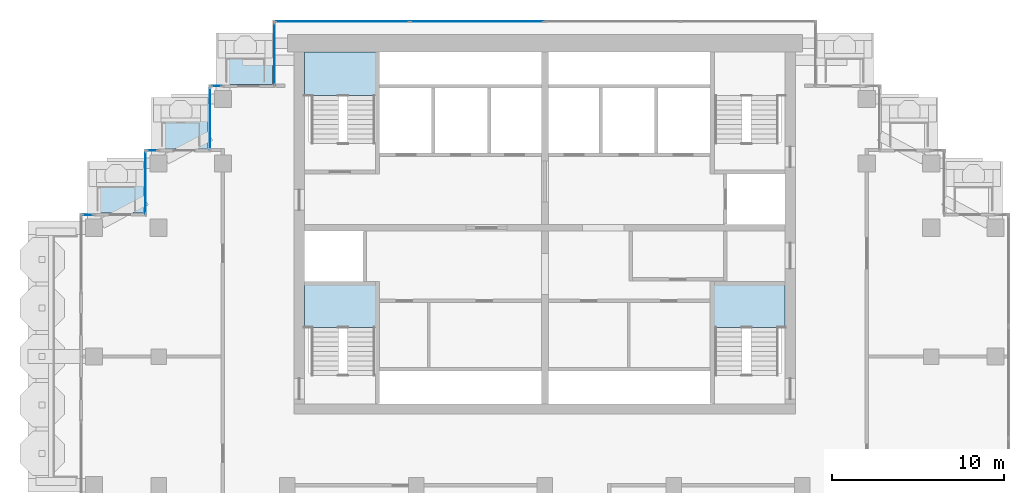
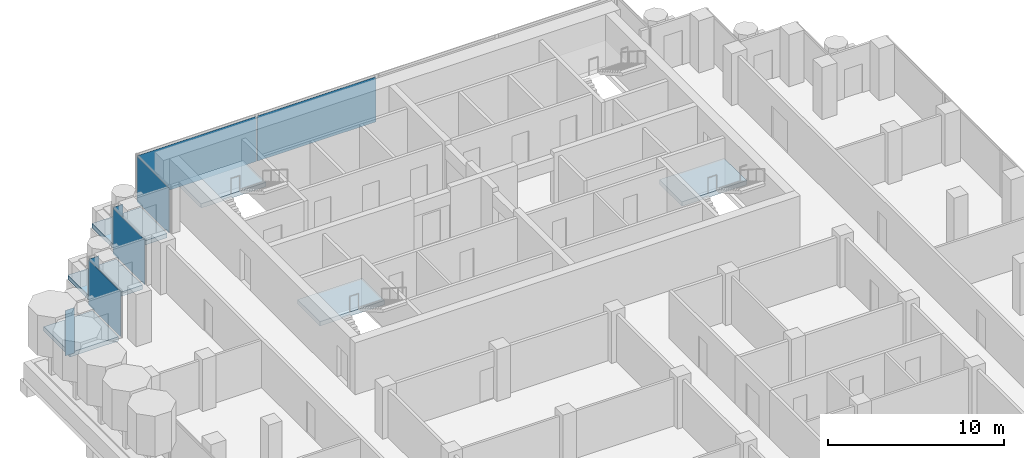
# One storey, part 9 of 18: 8 plates, 6 slabs, 10 elements without a shape of their own.
"""IFC4 building model written with IfcOpenShell, lengths in metres."""

from ifc_helpers import new_model, si_unit, direction, frame, origin, origin_2d, place, context, subcontext, project, spatial, polyline, rectangle, outline, extrude, material, layer, layer_set, type_object, element, aggregate, save


model = new_model("IFC4")

# Units and contexts
model_context = context("Model", 3, precision=1e-05, world=origin(), true_north=direction((0.0, 1.0)))
body_context = subcontext(model_context, "Body", "Model", "MODEL_VIEW")
ifc_project = project(units=[si_unit("LENGTHUNIT", "METRE"), si_unit("AREAUNIT", "SQUARE_METRE"), si_unit("VOLUMEUNIT", "CUBIC_METRE"), si_unit("PLANEANGLEUNIT", "RADIAN"), si_unit("MASSUNIT", "GRAM", prefix="KILO")], contexts=[model_context])

# Site, building, storey
site_placement = place(None, origin())
site = spatial("IfcSite", under=ifc_project, at=site_placement, CompositionType="ELEMENT")
building_placement = place(site_placement, origin())
building = spatial("IfcBuilding", under=site, at=building_placement, Name="Pilkhan Gate Tower", CompositionType="ELEMENT")
storey_placement = place(building_placement, frame((0.0, 0.0, 221.10009765625)))
storey = spatial("IfcBuildingStorey", under=building, at=storey_placement, Name="L57", CompositionType="ELEMENT", Elevation=221.10009765625)

# Slabs
ifc_material_1 = material(Name="Concrete C60/75", Category="concrete")
ifc_layer_1 = layer(ifc_material_1, 0.300048828125)
ifc_layer_set_1 = layer_set([ifc_layer_1], Name="Balcony tray slab TR300")
slab_type_1 = type_object("IfcSlabType", Name="Balcony tray slab TR300", PredefinedType="FLOOR", material=ifc_layer_set_1)
slab_1_placement = place(storey_placement, frame((0.0, 0.0, -0.300048828125)))
element("IfcSlab", 1, at=slab_1_placement, inside=storey, type_object=slab_type_1, Name="Balcony tray L57 N", PredefinedType="FLOOR", context=body_context, shape_type="SweptSolid", body=[
    extrude(outline(polyline([(59.14990234375, 90.85009765625), (59.14990234375, 93.85009765625), (55.949951171875, 93.85009765625), (55.949951171875, 90.85009765625), (59.14990234375, 90.85009765625)])), origin(), (0.0, 0.0, 1.0), 0.300048828125),
])
slab_2_placement = place(storey_placement, frame((0.0, 0.0, -0.300048828125)))
element("IfcSlab", 2, at=slab_2_placement, inside=storey, type_object=slab_type_1, Name="Balcony tray L57 N", PredefinedType="FLOOR", context=body_context, shape_type="SweptSolid", body=[
    extrude(outline(polyline([(55.3798828125, 87.1201171875), (55.3798828125, 90.10009765625), (52.199951171875, 90.10009765625), (52.199951171875, 87.1201171875), (55.3798828125, 87.1201171875)])), origin(), (0.0, 0.0, 1.0), 0.300048828125),
])
slab_3_placement = place(storey_placement, frame((0.0, 0.0, -0.300048828125)))
element("IfcSlab", 3, at=slab_3_placement, inside=storey, type_object=slab_type_1, Name="Balcony tray L57 N", PredefinedType="FLOOR", context=body_context, shape_type="SweptSolid", body=[
    extrude(outline(polyline([(51.6298828125, 83.3701171875), (51.6298828125, 86.35009765625), (48.449951171875, 86.35009765625), (48.449951171875, 83.3701171875), (51.6298828125, 83.3701171875)])), origin(), (0.0, 0.0, 1.0), 0.300048828125),
])

# Curtain wall, plates
ifc_material_2 = material(Name="Pale anodised aluminium, clear low-iron double glazing", Category="aluminium")
curtain_wall_type = type_object("IfcCurtainWallType", Name="Office unitised curtain wall CW-O2", PredefinedType="USERDEFINED", material=ifc_material_2)
curtain_wall_1_placement = place(storey_placement, origin())
curtain_wall_1 = element("IfcCurtainWall", 4, at=curtain_wall_1_placement, inside=storey, type_object=curtain_wall_type, Name="Office unitised curtain wall CW-O2 L57 N", ObjectType="UNITISED CURTAIN WALL", PredefinedType="USERDEFINED")
ifc_material_3 = material(Name="Clear low-iron double glazing", Category="glass")
ifc_layer_2 = layer(ifc_material_3, 0.031982421875)
ifc_layer_set_2 = layer_set([ifc_layer_2], Name="Glass panel CW-O2 32")
plate_type = type_object("IfcPlateType", Name="Glass panel CW-O2 32", PredefinedType="CURTAIN_PANEL", material=ifc_layer_set_2)
plate_1_placement = place(storey_placement, frame((63.203857421875, 94.5, 0.0), z_axis=(0.0, 0.0, 1.0), x_axis=(1.0, 0.0, 0.0)))
plate_1 = element("IfcPlate", 5, at=plate_1_placement, type_object=plate_type, Name="CW-O2 panel 1", PredefinedType="CURTAIN_PANEL", context=body_context, shape_type="SweptSolid", body=[
    extrude(rectangle(XDim=7.777587890625, YDim=0.031982421875, at=origin_2d()), origin(), (0.0, 0.0, 1.0), 3.135009765625),
])
plate_2_placement = place(storey_placement, frame((71.046142578125, 94.5, 0.0), z_axis=(0.0, 0.0, 1.0), x_axis=(1.0, 0.0, 0.0)))
plate_2 = element("IfcPlate", 6, at=plate_2_placement, type_object=plate_type, Name="CW-O2 panel 2", PredefinedType="CURTAIN_PANEL", context=body_context, shape_type="SweptSolid", body=[
    extrude(rectangle(XDim=7.777587890625, YDim=0.031982421875, at=origin_2d()), origin(), (0.0, 0.0, 1.0), 3.135009765625),
])
aggregate(curtain_wall_1, [plate_1, plate_2])

# Curtain wall, plate
curtain_wall_2_placement = place(storey_placement, origin())
curtain_wall_2 = element("IfcCurtainWall", 7, at=curtain_wall_2_placement, inside=storey, type_object=curtain_wall_type, Name="Office unitised curtain wall CW-O2 L57 W", ObjectType="UNITISED CURTAIN WALL", PredefinedType="USERDEFINED")
plate_3_placement = place(storey_placement, frame((59.25, 92.625, 0.0), z_axis=(0.0, 0.0, 1.0), x_axis=(0.0, 1.0, 0.0)))
plate_3 = element("IfcPlate", 8, at=plate_3_placement, type_object=plate_type, Name="CW-O2 panel 1", PredefinedType="CURTAIN_PANEL", context=body_context, shape_type="SweptSolid", body=[
    extrude(rectangle(XDim=3.6201171875, YDim=0.031982421875, at=origin_2d()), origin(), (0.0, 0.0, 1.0), 3.135009765625),
])
aggregate(curtain_wall_2, [plate_3])

curtain_wall_3_placement = place(storey_placement, origin())
curtain_wall_3 = element("IfcCurtainWall", 9, at=curtain_wall_3_placement, inside=storey, type_object=curtain_wall_type, Name="Office unitised curtain wall CW-O2 L57 N", ObjectType="UNITISED CURTAIN WALL", PredefinedType="USERDEFINED")
plate_4_placement = place(storey_placement, frame((55.875, 90.75, 0.0), z_axis=(0.0, 0.0, 1.0), x_axis=(1.0, 0.0, 0.0)))
plate_4 = element("IfcPlate", 10, at=plate_4_placement, type_object=plate_type, Name="CW-O2 panel 1", PredefinedType="CURTAIN_PANEL", context=body_context, shape_type="SweptSolid", body=[
    extrude(rectangle(XDim=0.6201171875, YDim=0.031982421875, at=origin_2d()), origin(), (0.0, 0.0, 1.0), 3.135009765625),
])
aggregate(curtain_wall_3, [plate_4])

curtain_wall_4_placement = place(storey_placement, origin())
curtain_wall_4 = element("IfcCurtainWall", 11, at=curtain_wall_4_placement, inside=storey, type_object=curtain_wall_type, Name="Office unitised curtain wall CW-O2 L57 W", ObjectType="UNITISED CURTAIN WALL", PredefinedType="USERDEFINED")
plate_5_placement = place(storey_placement, frame((55.5, 88.875, 0.0), z_axis=(0.0, 0.0, 1.0), x_axis=(0.0, 1.0, 0.0)))
plate_5 = element("IfcPlate", 12, at=plate_5_placement, type_object=plate_type, Name="CW-O2 panel 1", PredefinedType="CURTAIN_PANEL", context=body_context, shape_type="SweptSolid", body=[
    extrude(rectangle(XDim=3.6201171875, YDim=0.031982421875, at=origin_2d()), origin(), (0.0, 0.0, 1.0), 3.135009765625),
])
aggregate(curtain_wall_4, [plate_5])

curtain_wall_5_placement = place(storey_placement, origin())
curtain_wall_5 = element("IfcCurtainWall", 13, at=curtain_wall_5_placement, inside=storey, type_object=curtain_wall_type, Name="Office unitised curtain wall CW-O2 L57 N", ObjectType="UNITISED CURTAIN WALL", PredefinedType="USERDEFINED")
plate_6_placement = place(storey_placement, frame((52.125, 87.0, 0.0), z_axis=(0.0, 0.0, 1.0), x_axis=(1.0, 0.0, 0.0)))
plate_6 = element("IfcPlate", 14, at=plate_6_placement, type_object=plate_type, Name="CW-O2 panel 1", PredefinedType="CURTAIN_PANEL", context=body_context, shape_type="SweptSolid", body=[
    extrude(rectangle(XDim=0.6201171875, YDim=0.031982421875, at=origin_2d()), origin(), (0.0, 0.0, 1.0), 3.135009765625),
])
aggregate(curtain_wall_5, [plate_6])

curtain_wall_6_placement = place(storey_placement, origin())
curtain_wall_6 = element("IfcCurtainWall", 15, at=curtain_wall_6_placement, inside=storey, type_object=curtain_wall_type, Name="Office unitised curtain wall CW-O2 L57 W", ObjectType="UNITISED CURTAIN WALL", PredefinedType="USERDEFINED")
plate_7_placement = place(storey_placement, frame((51.75, 85.125, 0.0), z_axis=(0.0, 0.0, 1.0), x_axis=(0.0, 1.0, 0.0)))
plate_7 = element("IfcPlate", 16, at=plate_7_placement, type_object=plate_type, Name="CW-O2 panel 1", PredefinedType="CURTAIN_PANEL", context=body_context, shape_type="SweptSolid", body=[
    extrude(rectangle(XDim=3.6201171875, YDim=0.031982421875, at=origin_2d()), origin(), (0.0, 0.0, 1.0), 3.135009765625),
])
aggregate(curtain_wall_6, [plate_7])

curtain_wall_7_placement = place(storey_placement, origin())
curtain_wall_7 = element("IfcCurtainWall", 17, at=curtain_wall_7_placement, inside=storey, type_object=curtain_wall_type, Name="Office unitised curtain wall CW-O2 L57 N", ObjectType="UNITISED CURTAIN WALL", PredefinedType="USERDEFINED")
plate_8_placement = place(storey_placement, frame((48.375, 83.25, 0.0), z_axis=(0.0, 0.0, 1.0), x_axis=(1.0, 0.0, 0.0)))
plate_8 = element("IfcPlate", 18, at=plate_8_placement, type_object=plate_type, Name="CW-O2 panel 1", PredefinedType="CURTAIN_PANEL", context=body_context, shape_type="SweptSolid", body=[
    extrude(rectangle(XDim=0.6201171875, YDim=0.031982421875, at=origin_2d()), origin(), (0.0, 0.0, 1.0), 3.135009765625),
])
aggregate(curtain_wall_7, [plate_8])

# Stair, slab
ifc_material_4 = material(Name="Concrete C40/50 precast", Category="concrete")
stair_type_1 = type_object("IfcStairType", Name="Stair ST1 164x280", PredefinedType="HALF_TURN_STAIR", material=ifc_material_4)
stair_1_placement = place(storey_placement, origin())
stair_1 = element("IfcStair", 19, at=stair_1_placement, inside=storey, type_object=stair_type_1, Name="Stair ST1 L57", PredefinedType="HALF_TURN_STAIR")
ifc_material_5 = material(Name="Concrete C40/50", Category="concrete")
ifc_layer_3 = layer(ifc_material_5, 0.199951171875)
ifc_layer_set_3 = layer_set([ifc_layer_3], Name="Stair landing SL200")
slab_type_2 = type_object("IfcSlabType", Name="Stair landing SL200", PredefinedType="LANDING", material=ifc_layer_set_3)
slab_4_placement = place(storey_placement, frame((0.0, 0.0, 1.5)))
slab_4 = element("IfcSlab", 20, at=slab_4_placement, type_object=slab_type_2, Name="ST1 landing 1", PredefinedType="LANDING", context=body_context, shape_type="SweptSolid", body=[
    extrude(outline(polyline([(89.0, 76.699951171875), (89.0, 79.25), (84.75, 79.25), (84.75, 76.699951171875), (89.0, 76.699951171875)])), origin(), (0.0, 0.0, 1.0), 0.2998046875),
])
aggregate(stair_1, [slab_4])

stair_type_2 = type_object("IfcStairType", Name="Stair ST2 164x280", PredefinedType="HALF_TURN_STAIR", material=ifc_material_4)
stair_2_placement = place(storey_placement, origin())
stair_2 = element("IfcStair", 21, at=stair_2_placement, inside=storey, type_object=stair_type_2, Name="Stair ST2 L57", PredefinedType="HALF_TURN_STAIR")
slab_5_placement = place(storey_placement, frame((0.0, 0.0, 1.5)))
slab_5 = element("IfcSlab", 22, at=slab_5_placement, type_object=slab_type_2, Name="ST2 landing 1", PredefinedType="LANDING", context=body_context, shape_type="SweptSolid", body=[
    extrude(outline(polyline([(65.25, 76.699951171875), (65.25, 79.25), (61.0, 79.25), (61.0, 76.699951171875), (65.25, 76.699951171875)])), origin(), (0.0, 0.0, 1.0), 0.2998046875),
])
aggregate(stair_2, [slab_5])

stair_type_3 = type_object("IfcStairType", Name="Stair ST3 164x280", PredefinedType="HALF_TURN_STAIR", material=ifc_material_4)
stair_3_placement = place(storey_placement, origin())
stair_3 = element("IfcStair", 23, at=stair_3_placement, inside=storey, type_object=stair_type_3, Name="Stair ST3 L57", PredefinedType="HALF_TURN_STAIR")
slab_6_placement = place(storey_placement, frame((0.0, 0.0, 1.5)))
slab_6 = element("IfcSlab", 24, at=slab_6_placement, type_object=slab_type_2, Name="ST3 landing 1", PredefinedType="LANDING", context=body_context, shape_type="SweptSolid", body=[
    extrude(outline(polyline([(65.25, 90.199951171875), (65.25, 92.75), (61.0, 92.75), (61.0, 90.199951171875), (65.25, 90.199951171875)])), origin(), (0.0, 0.0, 1.0), 0.2998046875),
])
aggregate(stair_3, [slab_6])

save(model, "model.ifc")
